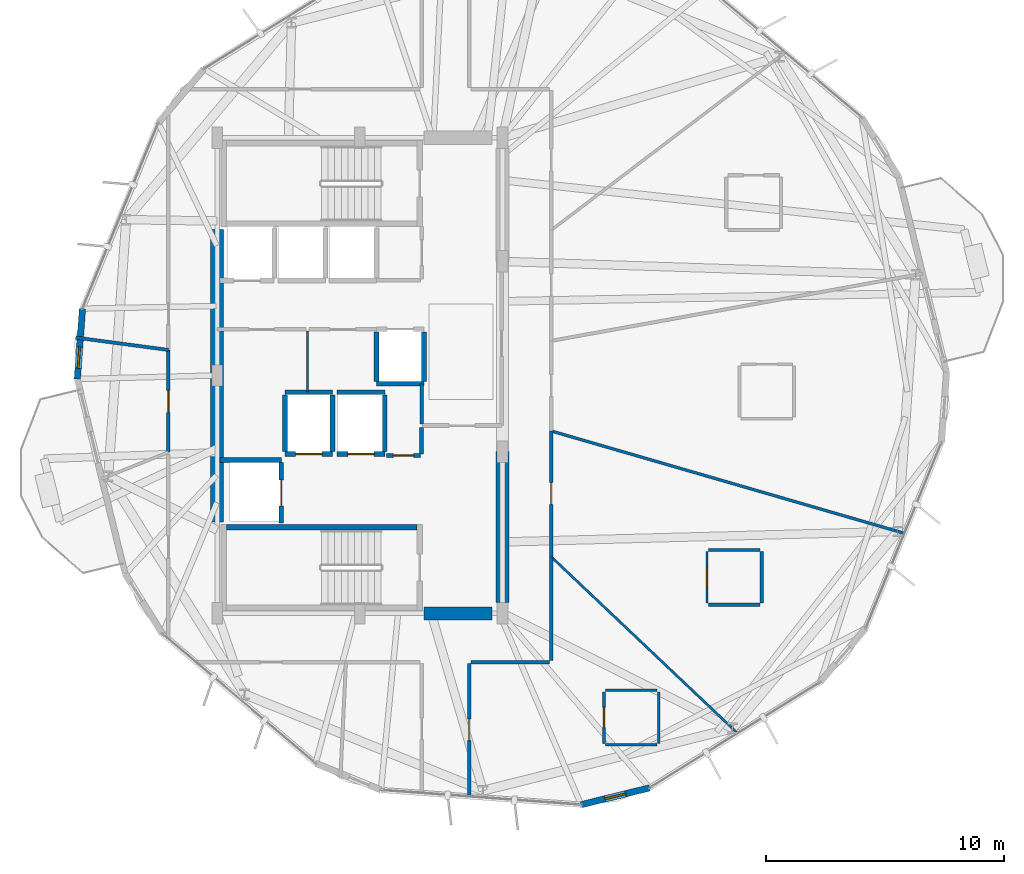
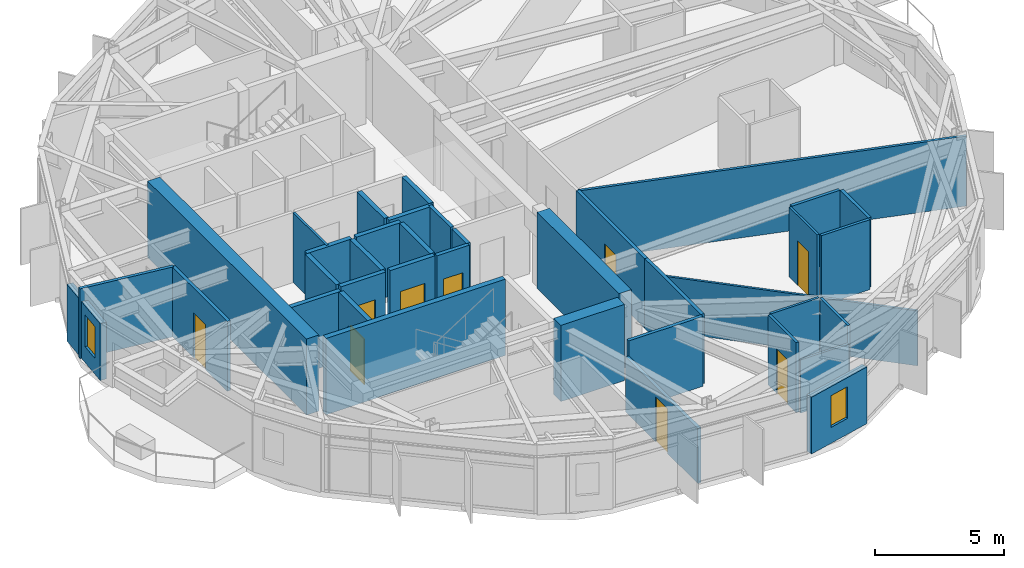
# One storey, part 15 of 21: 38 walls, 9 doors, 2 windows, 11 openings.
"""IFC4 building model written with IfcOpenShell, lengths in metres."""

from ifc_helpers import new_model, si_unit, direction, frame, frame_2d, origin, place, context, subcontext, project, spatial, rectangle, extrude, material, layer, layer_set, type_object, element, fill, save


model = new_model("IFC4")

# Units and contexts
model_context = context("Model", 3, precision=1e-05, world=origin(), true_north=direction((0.0, 1.0)))
body_context = subcontext(model_context, "Body", "Model", "MODEL_VIEW")
ifc_project = project(units=[si_unit("LENGTHUNIT", "METRE"), si_unit("AREAUNIT", "SQUARE_METRE"), si_unit("VOLUMEUNIT", "CUBIC_METRE"), si_unit("PLANEANGLEUNIT", "RADIAN"), si_unit("MASSUNIT", "GRAM", prefix="KILO")], contexts=[model_context])

# Site, building, storey
site_placement = place(None, origin())
site = spatial("IfcSite", under=ifc_project, at=site_placement, CompositionType="ELEMENT")
building_placement = place(site_placement, origin())
building = spatial("IfcBuilding", under=site, at=building_placement, Name="Soratama Intermodal Tower", CompositionType="ELEMENT")
storey_placement = place(building_placement, frame((0.0, 0.0, 153.39990234375)))
storey = spatial("IfcBuildingStorey", under=building, at=storey_placement, Name="L37", CompositionType="ELEMENT", Elevation=153.39990234375)

# Wall, opening, window
ifc_material_1 = material(Name="Concrete f'c 42 MPa", Category="concrete")
ifc_layer_1 = layer(ifc_material_1, 0.27001953125)
ifc_layer_set_1 = layer_set([ifc_layer_1], Name="Concrete f'c 42 MPa")
wall_type_1 = type_object("IfcWallType", Name="EW-CRN-270", PredefinedType="SOLIDWALL", material=ifc_layer_set_1)
wall_1_placement = place(storey_placement, frame((26.935546875, 27.813720703125, 0.0), z_axis=(0.0, 0.0, 1.0), x_axis=(-0.073247177567, -0.997313817702, 0.0)))
wall_1 = element("IfcWall", 1, at=wall_1_placement, inside=storey, type_object=wall_type_1, Name="L37 Corner Closure Wall 04", PredefinedType="SOLIDWALL", context=body_context, shape_type="SweptSolid", body=[
    extrude(rectangle(XDim=2.966552734375, YDim=0.27001953125, at=frame_2d((1.4833984375, 0.0))), origin(), (0.0, 0.0, 1.0), 2.67919921875),
])
opening_1_placement = place(wall_1_placement, frame((1.61669921875, 0.0, 0.75)))
opening_1 = element("IfcOpeningElement", 2, at=opening_1_placement, cuts=wall_1, Name="Opening WN-6", PredefinedType="OPENING", context=body_context, shape_type="SweptSolid", body=[
    extrude(rectangle(XDim=0.89990234375, YDim=1.5, at=frame_2d((0.449951171875, 0.75))), frame((0.0, 0.14501953125, 0.0), z_axis=(0.0, -1.0, 0.0), x_axis=(1.0, 0.0, 0.0)), (0.0, 0.0, 1.0), 0.2900390625),
])
ifc_material_2 = material(Name="Double-glazed aluminium window", Category="aluminium")
window_type = type_object("IfcWindowType", Name="WN-FAC-900", PartitioningType="SINGLE_PANEL", PredefinedType="WINDOW", material=ifc_material_2)
window_1_placement = place(opening_1_placement, origin())
window_1 = element("IfcWindow", 3, at=window_1_placement, inside=storey, type_object=window_type, Name="L37 Corner Window 04", OverallHeight=1.5, OverallWidth=0.89990234375, PartitioningType="SINGLE_PANEL", PredefinedType="WINDOW", context=body_context, shape_type="SweptSolid", body=[
    extrude(rectangle(XDim=0.89990234375, YDim=1.5, at=frame_2d((0.449951171875, 0.75))), frame((0.0, 0.030029296875, 0.0), z_axis=(0.0, -1.0, 0.0), x_axis=(1.0, 0.0, 0.0)), (0.0, 0.0, 1.0), 0.06005859375),
])
fill(opening_1, window_1)

wall_2_placement = place(storey_placement, frame((47.906005859375, 6.9501953125, 0.0), z_axis=(0.0, 0.0, 1.0), x_axis=(0.971145785541, 0.23848661016, 0.0)))
wall_2 = element("IfcWall", 4, at=wall_2_placement, inside=storey, type_object=wall_type_1, Name="L37 Corner Closure Wall 07", PredefinedType="SOLIDWALL", context=body_context, shape_type="SweptSolid", body=[
    extrude(rectangle(XDim=2.966796875, YDim=0.27001953125, at=frame_2d((1.4833984375, 0.0))), origin(), (0.0, 0.0, 1.0), 2.67919921875),
])
opening_2_placement = place(wall_2_placement, frame((1.033203125, 0.0, 0.75)))
opening_2 = element("IfcOpeningElement", 5, at=opening_2_placement, cuts=wall_2, Name="Opening WN-6", PredefinedType="OPENING", context=body_context, shape_type="SweptSolid", body=[
    extrude(rectangle(XDim=0.89990234375, YDim=1.5, at=frame_2d((0.449951171875, 0.75))), frame((0.0, 0.14501953125, 0.0), z_axis=(0.0, -1.0, 0.0), x_axis=(1.0, 0.0, 0.0)), (0.0, 0.0, 1.0), 0.2900390625),
])
window_2_placement = place(opening_2_placement, origin())
window_2 = element("IfcWindow", 6, at=window_2_placement, inside=storey, type_object=window_type, Name="L37 Corner Window 07", OverallHeight=1.5, OverallWidth=0.89990234375, PartitioningType="SINGLE_PANEL", PredefinedType="WINDOW", context=body_context, shape_type="SweptSolid", body=[
    extrude(rectangle(XDim=0.89990234375, YDim=1.5, at=frame_2d((0.449951171875, 0.75))), frame((0.0, 0.030029296875, 0.0), z_axis=(0.0, -1.0, 0.0), x_axis=(1.0, 0.0, 0.0)), (0.0, 0.0, 1.0), 0.06005859375),
])
fill(opening_2, window_2)

# Wall, opening, door
ifc_material_3 = material(Name="Fire-rated gypsum stud partition", Category="concrete")
ifc_layer_2 = layer(ifc_material_3, 0.14990234375)
ifc_layer_set_2 = layer_set([ifc_layer_2], Name="Fire-rated gypsum stud partition")
wall_type_2 = type_object("IfcWallType", Name="IW-PART-R150", PredefinedType="PARTITIONING", material=ifc_layer_set_2)
wall_3_placement = place(storey_placement, frame((43.199951171875, 12.8798828125, 0.0), z_axis=(0.0, 0.0, 1.0), x_axis=(0.0, -1.0, 0.0)))
wall_3 = element("IfcWall", 7, at=wall_3_placement, inside=storey, type_object=wall_type_2, Name="L37 Partition W-L37-TP013", PredefinedType="PARTITIONING", context=body_context, shape_type="SweptSolid", body=[
    extrude(rectangle(XDim=5.583984375, YDim=0.14990234375, at=frame_2d((2.7919921875, 0.0))), origin(), (0.0, 0.0, 1.0), 2.59521484375),
])
opening_3_placement = place(wall_3_placement, frame((2.31689453125, 0.0, 0.0)))
opening_3 = element("IfcOpeningElement", 8, at=opening_3_placement, cuts=wall_3, Name="Opening ID-6", PredefinedType="OPENING", context=body_context, shape_type="SweptSolid", body=[
    extrude(rectangle(XDim=0.919921875, YDim=2.1201171875, at=frame_2d((0.4599609375, 1.06005859375))), frame((0.0, 0.0849609375, 0.0), z_axis=(0.0, -1.0, 0.0), x_axis=(1.0, 0.0, 0.0)), (0.0, 0.0, 1.0), 0.169921875),
])
ifc_material_4 = material(Name="Solid hardwood acoustic door", Category="wood")
door_type_1 = type_object("IfcDoorType", Name="DR-ROOM-920", OperationType="NOTDEFINED", PredefinedType="DOOR", material=ifc_material_4)
door_1_placement = place(opening_3_placement, origin())
door_1 = element("IfcDoor", 9, at=door_1_placement, inside=storey, type_object=door_type_1, Name="L37 Door D-L37-TP007", OperationType="SINGLE_SWING_RIGHT", OverallHeight=2.1201171875, OverallWidth=0.919921875, PredefinedType="DOOR", context=body_context, shape_type="SweptSolid", body=[
    extrude(rectangle(XDim=0.919921875, YDim=2.1201171875, at=frame_2d((0.4599609375, 1.06005859375))), frame((0.0, 0.02490234375, 0.0), z_axis=(0.0, -1.0, 0.0), x_axis=(1.0, 0.0, 0.0)), (0.0, 0.0, 1.0), 0.050048828125),
])
fill(opening_3, door_1)

wall_4_placement = place(storey_placement, frame((46.64990234375, 22.66796875, 0.0), z_axis=(0.0, 0.0, 1.0), x_axis=(0.0, -1.0, 0.0)))
wall_4 = element("IfcWall", 10, at=wall_4_placement, inside=storey, type_object=wall_type_2, Name="L37 Partition W-L37-TP015", PredefinedType="PARTITIONING", context=body_context, shape_type="SweptSolid", body=[
    extrude(rectangle(XDim=5.291015625, YDim=0.14990234375, at=frame_2d((2.6455078125, 0.0))), origin(), (0.0, 0.0, 1.0), 3.300048828125),
])
opening_4_placement = place(wall_4_placement, frame((2.1708984375, 0.0, 0.0)))
opening_4 = element("IfcOpeningElement", 11, at=opening_4_placement, cuts=wall_4, Name="Opening ID-6", PredefinedType="OPENING", context=body_context, shape_type="SweptSolid", body=[
    extrude(rectangle(XDim=0.919921875, YDim=2.1201171875, at=frame_2d((0.4599609375, 1.06005859375))), frame((0.0, 0.0849609375, 0.0), z_axis=(0.0, -1.0, 0.0), x_axis=(1.0, 0.0, 0.0)), (0.0, 0.0, 1.0), 0.169921875),
])
door_2_placement = place(opening_4_placement, origin())
door_2 = element("IfcDoor", 12, at=door_2_placement, inside=storey, type_object=door_type_1, Name="L37 Door D-L37-TP009", OperationType="SINGLE_SWING_RIGHT", OverallHeight=2.1201171875, OverallWidth=0.919921875, PredefinedType="DOOR", context=body_context, shape_type="SweptSolid", body=[
    extrude(rectangle(XDim=0.919921875, YDim=2.1201171875, at=frame_2d((0.4599609375, 1.06005859375))), frame((0.0, 0.02490234375, 0.0), z_axis=(0.0, -1.0, 0.0), x_axis=(1.0, 0.0, 0.0)), (0.0, 0.0, 1.0), 0.050048828125),
])
fill(opening_4, door_2)

# Wall
wall_5_placement = place(storey_placement, frame((46.64990234375, 17.376953125, 0.0), z_axis=(0.0, 0.0, 1.0), x_axis=(0.0, -1.0, 0.0)))
element("IfcWall", 13, at=wall_5_placement, inside=storey, type_object=wall_type_2, Name="L37 Partition W-L37-TP018", PredefinedType="PARTITIONING", context=body_context, shape_type="SweptSolid", body=[
    extrude(rectangle(XDim=4.35693359375, YDim=0.14990234375, at=frame_2d((2.178466796875, 0.0))), origin(), (0.0, 0.0, 1.0), 3.300048828125),
])

# Wall, opening, door
wall_6_placement = place(storey_placement, frame((30.550048828125, 21.778076171875, 0.0), z_axis=(0.0, 0.0, 1.0), x_axis=(0.0, 1.0, 0.0)))
wall_6 = element("IfcWall", 14, at=wall_6_placement, inside=storey, type_object=wall_type_2, Name="L37 Partition W-L37-TP019", PredefinedType="PARTITIONING", context=body_context, shape_type="SweptSolid", body=[
    extrude(rectangle(XDim=4.298828125, YDim=0.14990234375, at=frame_2d((2.1494140625, 0.0))), origin(), (0.0, 0.0, 1.0), 3.300048828125),
])
opening_5_placement = place(wall_6_placement, frame((1.675048828125, 0.0, 0.0)))
opening_5 = element("IfcOpeningElement", 15, at=opening_5_placement, cuts=wall_6, Name="Opening ID-6", PredefinedType="OPENING", context=body_context, shape_type="SweptSolid", body=[
    extrude(rectangle(XDim=0.919921875, YDim=2.1201171875, at=frame_2d((0.4599609375, 1.06005859375))), frame((0.0, 0.0849609375, 0.0), z_axis=(0.0, -1.0, 0.0), x_axis=(1.0, 0.0, 0.0)), (0.0, 0.0, 1.0), 0.169921875),
])
door_3_placement = place(opening_5_placement, origin())
door_3 = element("IfcDoor", 16, at=door_3_placement, inside=storey, type_object=door_type_1, Name="L37 Door D-L37-TP011", OperationType="SINGLE_SWING_RIGHT", OverallHeight=2.1201171875, OverallWidth=0.919921875, PredefinedType="DOOR", context=body_context, shape_type="SweptSolid", body=[
    extrude(rectangle(XDim=0.919921875, YDim=2.1201171875, at=frame_2d((0.4599609375, 1.06005859375))), frame((0.0, 0.02490234375, 0.0), z_axis=(0.0, -1.0, 0.0), x_axis=(1.0, 0.0, 0.0)), (0.0, 0.0, 1.0), 0.050048828125),
])
fill(opening_5, door_3)

# Walls
wall_7_placement = place(storey_placement, frame((46.580078125, 12.949951171875, 0.0), z_axis=(0.0, 0.0, 1.0), x_axis=(-1.0, 0.0, 0.0)))
element("IfcWall", 17, at=wall_7_placement, inside=storey, type_object=wall_type_2, Name="L37 Partition W-L37-TP025", PredefinedType="PARTITIONING", context=body_context, shape_type="SweptSolid", body=[
    extrude(rectangle(XDim=3.31005859375, YDim=0.14990234375, at=frame_2d((1.655029296875, 0.0))), origin(), (0.0, 0.0, 1.0), 3.300048828125),
])
wall_8_placement = place(storey_placement, frame((41.199951171875, 22.9599609375, 0.0), z_axis=(0.0, 0.0, 1.0), x_axis=(0.0, 1.0, 0.0)))
element("IfcWall", 18, at=wall_8_placement, inside=storey, type_object=wall_type_2, Name="L37 Partition W-L37-TP048", PredefinedType="PARTITIONING", context=body_context, shape_type="SweptSolid", body=[
    extrude(rectangle(XDim=1.68994140625, YDim=0.14990234375, at=frame_2d((0.844970703125, 0.0))), origin(), (0.0, 0.0, 1.0), 3.300048828125),
])

# Wall, opening, door
ifc_material_5 = material(Name="Fire-rated gypsum stud partition", Category="concrete")
ifc_layer_3 = layer(ifc_material_5, 0.169921875)
ifc_layer_set_3 = layer_set([ifc_layer_3], Name="Fire-rated gypsum stud partition")
wall_type_3 = type_object("IfcWallType", Name="IW-PART-R170", PredefinedType="PARTITIONING", material=ifc_layer_set_3)
wall_9_placement = place(storey_placement, frame((39.719970703125, 21.639892578125, 0.0), z_axis=(0.0, 0.0, 1.0), x_axis=(1.0, 0.0, 0.0)))
wall_9 = element("IfcWall", 19, at=wall_9_placement, inside=storey, type_object=wall_type_3, Name="L37 Partition W-L37-TP049", PredefinedType="PARTITIONING", context=body_context, shape_type="SweptSolid", body=[
    extrude(rectangle(XDim=1.43994140625, YDim=0.169921875, at=frame_2d((0.719970703125, 0.0))), origin(), (0.0, 0.0, 1.0), 3.300048828125),
])
opening_6_placement = place(wall_9_placement, frame((0.294921875, 0.0, 0.0)))
opening_6 = element("IfcOpeningElement", 20, at=opening_6_placement, cuts=wall_9, Name="Opening ID-4", PredefinedType="OPENING", context=body_context, shape_type="SweptSolid", body=[
    extrude(rectangle(XDim=0.85009765625, YDim=2.10009765625, at=frame_2d((0.425048828125, 1.050048828125))), frame((0.0, 0.094970703125, 0.0), z_axis=(0.0, -1.0, 0.0), x_axis=(1.0, 0.0, 0.0)), (0.0, 0.0, 1.0), 0.18994140625),
])
ifc_material_6 = material(Name="Solid hardwood acoustic door", Category="wood")
door_type_2 = type_object("IfcDoorType", Name="DR-BATH-850", OperationType="NOTDEFINED", PredefinedType="DOOR", material=ifc_material_6)
door_4_placement = place(opening_6_placement, origin())
door_4 = element("IfcDoor", 21, at=door_4_placement, inside=storey, type_object=door_type_2, Name="L37 Door D-L37-TP021", OperationType="SINGLE_SWING_RIGHT", OverallHeight=2.10009765625, OverallWidth=0.85009765625, PredefinedType="DOOR", context=body_context, shape_type="SweptSolid", body=[
    extrude(rectangle(XDim=0.85009765625, YDim=2.10009765625, at=frame_2d((0.425048828125, 1.050048828125))), frame((0.0, 0.02490234375, 0.0), z_axis=(0.0, -1.0, 0.0), x_axis=(1.0, 0.0, 0.0)), (0.0, 0.0, 1.0), 0.050048828125),
])
fill(opening_6, door_4)

# Walls
wall_10_placement = place(storey_placement, frame((41.199951171875, 21.699951171875, 0.0), z_axis=(0.0, 0.0, 1.0), x_axis=(0.0, 1.0, 0.0)))
element("IfcWall", 22, at=wall_10_placement, inside=storey, type_object=wall_type_3, Name="L37 Partition W-L37-TP050", PredefinedType="PARTITIONING", context=body_context, shape_type="SweptSolid", body=[
    extrude(rectangle(XDim=1.1201171875, YDim=0.169921875, at=frame_2d((0.56005859375, 0.0))), origin(), (0.0, 0.0, 1.0), 3.300048828125),
])
ifc_material_7 = material(Name="Fire-rated gypsum stud partition", Category="concrete")
ifc_layer_4 = layer(ifc_material_7, 0.10009765625)
ifc_layer_set_4 = layer_set([ifc_layer_4], Name="Fire-rated gypsum stud partition")
wall_type_4 = type_object("IfcWallType", Name="IW-PART-S100", PredefinedType="PARTITIONING", material=ifc_layer_set_4)
wall_11_placement = place(storey_placement, frame((46.64990234375, 17.376953125, 0.0), z_axis=(0.0, 0.0, 1.0), x_axis=(0.726165374711, -0.687520071395, 0.0)))
element("IfcWall", 23, at=wall_11_placement, inside=storey, type_object=wall_type_4, Name="L37 Partition W-L37-TP004", PredefinedType="PARTITIONING", context=body_context, shape_type="SweptSolid", body=[
    extrude(rectangle(XDim=10.796630859375, YDim=0.10009765625, at=frame_2d((5.3984375, 0.0))), origin(), (0.0, 0.0, 1.0), 2.59521484375),
])
wall_12_placement = place(storey_placement, frame((36.39990234375, 26.8798828125, 0.0), z_axis=(0.0, 0.0, 1.0), x_axis=(0.0, -1.0, 0.0)))
element("IfcWall", 24, at=wall_12_placement, inside=storey, type_object=wall_type_4, Name="L37 Partition W-L37-TP029", PredefinedType="PARTITIONING", context=body_context, shape_type="SweptSolid", body=[
    extrude(rectangle(XDim=2.579833984375, YDim=0.10009765625, at=frame_2d((1.2900390625, 0.0))), origin(), (0.0, 0.0, 1.0), 3.300048828125),
])

# Wall, opening, door
wall_13_placement = place(storey_placement, frame((53.200927734375, 17.590087890625, 0.0), z_axis=(0.0, 0.0, 1.0), x_axis=(0.0, -1.0, 0.0)))
wall_13 = element("IfcWall", 25, at=wall_13_placement, inside=storey, type_object=wall_type_4, Name="L37 Partition W-L37-TP039", PredefinedType="PARTITIONING", context=body_context, shape_type="SweptSolid", body=[
    extrude(rectangle(XDim=2.16015625, YDim=0.10009765625, at=frame_2d((1.080078125, 0.0))), origin(), (0.0, 0.0, 1.0), 3.300048828125),
])
opening_7_placement = place(wall_13_placement, frame((0.655029296875, 0.0, 0.0)))
opening_7 = element("IfcOpeningElement", 26, at=opening_7_placement, cuts=wall_13, Name="Opening ID-4", PredefinedType="OPENING", context=body_context, shape_type="SweptSolid", body=[
    extrude(rectangle(XDim=0.85009765625, YDim=2.10009765625, at=frame_2d((0.425048828125, 1.050048828125))), frame((0.0, 0.06005859375, 0.0), z_axis=(0.0, -1.0, 0.0), x_axis=(1.0, 0.0, 0.0)), (0.0, 0.0, 1.0), 0.1201171875),
])
door_5_placement = place(opening_7_placement, origin())
door_5 = element("IfcDoor", 27, at=door_5_placement, inside=storey, type_object=door_type_2, Name="L37 Door D-L37-TP020", OperationType="SINGLE_SWING_LEFT", OverallHeight=2.10009765625, OverallWidth=0.85009765625, PredefinedType="DOOR", context=body_context, shape_type="SweptSolid", body=[
    extrude(rectangle(XDim=0.85009765625, YDim=2.10009765625, at=frame_2d((0.425048828125, 1.050048828125))), frame((0.0, 0.02490234375, 0.0), z_axis=(0.0, -1.0, 0.0), x_axis=(1.0, 0.0, 0.0)), (0.0, 0.0, 1.0), 0.050048828125),
])
fill(opening_7, door_5)

# Walls
wall_14_placement = place(storey_placement, frame((48.94189453125, 9.465087890625, 0.0), z_axis=(0.0, 0.0, 1.0), x_axis=(1.0, 0.0, 0.0)))
element("IfcWall", 28, at=wall_14_placement, inside=storey, type_object=wall_type_4, Name="L37 Partition W-L37-TP044", PredefinedType="PARTITIONING", context=body_context, shape_type="SweptSolid", body=[
    extrude(rectangle(XDim=2.16015625, YDim=0.10009765625, at=frame_2d((1.080078125, 0.0))), origin(), (0.0, 0.0, 1.0), 2.510986328125),
])
ifc_material_8 = material(Name="Fire-rated gypsum stud partition", Category="concrete")
ifc_layer_5 = layer(ifc_material_8, 0.110107421875)
ifc_layer_set_5 = layer_set([ifc_layer_5], Name="Fire-rated gypsum stud partition")
wall_type_5 = type_object("IfcWallType", Name="IW-PART-S110", PredefinedType="PARTITIONING", material=ifc_layer_set_5)
for number, where, z_axis, x_axis, name in (
    (29, (51.172119140625, 9.534912109375, 0.0), (0.0, 0.0, 1.0), (0.0, 1.0, 0.0), "L37 Partition W-L37-TP038"),
    (30, (51.10205078125, 11.764892578125, 0.0), (0.0, 0.0, 1.0), (-1.0, 0.0, 0.0), "L37 Partition W-L37-TP043"),
):
    element("IfcWall", number, at=place(storey_placement, frame(where, z_axis=z_axis, x_axis=x_axis)), inside=storey, type_object=wall_type_5, Name=name, PredefinedType="PARTITIONING", context=body_context, shape_type="SweptSolid", body=[
        extrude(rectangle(XDim=2.16015625, YDim=0.110107421875, at=frame_2d((1.080078125, 0.0))), origin(), (0.0, 0.0, 1.0), 3.300048828125),
    ])
ifc_material_9 = material(Name="Fire-rated gypsum stud partition", Category="concrete")
ifc_layer_6 = layer(ifc_material_9, 0.1201171875)
ifc_layer_set_6 = layer_set([ifc_layer_6], Name="Fire-rated gypsum stud partition")
wall_type_6 = type_object("IfcWallType", Name="IW-PART-S120", PredefinedType="PARTITIONING", material=ifc_layer_set_6)
wall_15_placement = place(storey_placement, frame((46.64990234375, 22.66796875, 0.0), z_axis=(0.0, 0.0, 1.0), x_axis=(0.960493218243, -0.27830339148, 0.0)))
element("IfcWall", 31, at=wall_15_placement, inside=storey, type_object=wall_type_6, Name="L37 Partition W-L37-TP002", PredefinedType="PARTITIONING", context=body_context, shape_type="SweptSolid", body=[
    extrude(rectangle(XDim=15.465087890625, YDim=0.1201171875, at=frame_2d((7.732421875, 0.0))), origin(), (0.0, 0.0, 1.0), 3.300048828125),
])

# Wall, opening, door
wall_16_placement = place(storey_placement, frame((48.8720703125, 11.695068359375, 0.0), z_axis=(0.0, 0.0, 1.0), x_axis=(0.0, -1.0, 0.0)))
wall_16 = element("IfcWall", 32, at=wall_16_placement, inside=storey, type_object=wall_type_6, Name="L37 Partition W-L37-TP037", PredefinedType="PARTITIONING", context=body_context, shape_type="SweptSolid", body=[
    extrude(rectangle(XDim=2.16015625, YDim=0.1201171875, at=frame_2d((1.080078125, 0.0))), origin(), (0.0, 0.0, 1.0), 3.300048828125),
])
opening_8_placement = place(wall_16_placement, frame((0.655029296875, 0.0, 0.0)))
opening_8 = element("IfcOpeningElement", 33, at=opening_8_placement, cuts=wall_16, Name="Opening ID-4", PredefinedType="OPENING", context=body_context, shape_type="SweptSolid", body=[
    extrude(rectangle(XDim=0.85009765625, YDim=2.10009765625, at=frame_2d((0.425048828125, 1.050048828125))), frame((0.0, 0.070068359375, 0.0), z_axis=(0.0, -1.0, 0.0), x_axis=(1.0, 0.0, 0.0)), (0.0, 0.0, 1.0), 0.14013671875),
])
door_6_placement = place(opening_8_placement, origin())
door_6 = element("IfcDoor", 34, at=door_6_placement, inside=storey, type_object=door_type_2, Name="L37 Door D-L37-TP019", OperationType="SINGLE_SWING_RIGHT", OverallHeight=2.10009765625, OverallWidth=0.85009765625, PredefinedType="DOOR", context=body_context, shape_type="SweptSolid", body=[
    extrude(rectangle(XDim=0.85009765625, YDim=2.10009765625, at=frame_2d((0.425048828125, 1.050048828125))), frame((0.0, 0.02490234375, 0.0), z_axis=(0.0, -1.0, 0.0), x_axis=(1.0, 0.0, 0.0)), (0.0, 0.0, 1.0), 0.050048828125),
])
fill(opening_8, door_6)

# Walls
ifc_material_10 = material(Name="Fire-rated gypsum stud partition", Category="concrete")
ifc_layer_7 = layer(ifc_material_10, 0.1298828125)
ifc_layer_set_7 = layer_set([ifc_layer_7], Name="Fire-rated gypsum stud partition")
wall_type_7 = type_object("IfcWallType", Name="IW-PART-S130", PredefinedType="PARTITIONING", material=ifc_layer_set_7)
wall_17_placement = place(storey_placement, frame((53.27099609375, 15.360107421875, 0.0), z_axis=(0.0, 0.0, 1.0), x_axis=(1.0, 0.0, 0.0)))
element("IfcWall", 35, at=wall_17_placement, inside=storey, type_object=wall_type_7, Name="L37 Partition W-L37-TP046", PredefinedType="PARTITIONING", context=body_context, shape_type="SweptSolid", body=[
    extrude(rectangle(XDim=2.159912109375, YDim=0.1298828125, at=frame_2d((1.080078125, 0.0))), origin(), (0.0, 0.0, 1.0), 3.300048828125),
])
ifc_material_11 = material(Name="Fire-rated gypsum stud partition", Category="concrete")
ifc_layer_8 = layer(ifc_material_11, 0.139892578125)
ifc_layer_set_8 = layer_set([ifc_layer_8], Name="Fire-rated gypsum stud partition")
wall_type_8 = type_object("IfcWallType", Name="IW-PART-S140", PredefinedType="PARTITIONING", material=ifc_layer_set_8)
wall_18_placement = place(storey_placement, frame((30.550048828125, 26.076904296875, 0.0), z_axis=(0.0, 0.0, 1.0), x_axis=(-0.991227900683, 0.132163720091, 0.0)))
element("IfcWall", 36, at=wall_18_placement, inside=storey, type_object=wall_type_8, Name="L37 Partition W-L37-TP020", PredefinedType="PARTITIONING", context=body_context, shape_type="SweptSolid", body=[
    extrude(rectangle(XDim=3.9345703125, YDim=0.139892578125, at=frame_2d((1.96728515625, 0.0))), origin(), (0.0, 0.0, 1.0), 3.300048828125),
])
wall_19_placement = place(storey_placement, frame((55.5009765625, 15.429931640625, 0.0), z_axis=(0.0, 0.0, 1.0), x_axis=(0.0, 1.0, 0.0)))
element("IfcWall", 37, at=wall_19_placement, inside=storey, type_object=wall_type_8, Name="L37 Partition W-L37-TP040", PredefinedType="PARTITIONING", context=body_context, shape_type="SweptSolid", body=[
    extrude(rectangle(XDim=2.16015625, YDim=0.139892578125, at=frame_2d((1.080078125, 0.0))), origin(), (0.0, 0.0, 1.0), 3.300048828125),
])
wall_20_placement = place(storey_placement, frame((55.430908203125, 17.659912109375, 0.0), z_axis=(0.0, 0.0, 1.0), x_axis=(-1.0, 0.0, 0.0)))
element("IfcWall", 38, at=wall_20_placement, inside=storey, type_object=wall_type_8, Name="L37 Partition W-L37-TP045", PredefinedType="PARTITIONING", context=body_context, shape_type="SweptSolid", body=[
    extrude(rectangle(XDim=2.159912109375, YDim=0.139892578125, at=frame_2d((1.080078125, 0.0))), origin(), (0.0, 0.0, 1.0), 3.300048828125),
])

# Wall, opening, door
ifc_material_12 = material(Name="Concrete f'c 42 MPa", Category="concrete")
ifc_layer_9 = layer(ifc_material_12, 0.199951171875)
ifc_layer_set_9 = layer_set([ifc_layer_9], Name="Concrete f'c 42 MPa")
wall_type_9 = type_object("IfcWallType", Name="IW-SHAFT-200", PredefinedType="SOLIDWALL", material=ifc_layer_set_9)
wall_21_placement = place(storey_placement, frame((35.449951171875, 21.699951171875, 0.0), z_axis=(0.0, 0.0, 1.0), x_axis=(1.0, 0.0, 0.0)))
wall_21 = element("IfcWall", 39, at=wall_21_placement, inside=storey, type_object=wall_type_9, Name="L37 FFL-1 Hoistway Wall S", PredefinedType="SOLIDWALL", context=body_context, shape_type="SweptSolid", body=[
    extrude(rectangle(XDim=2.0, YDim=0.199951171875, at=frame_2d((1.0, 0.0))), origin(), (0.0, 0.0, 1.0), 3.300048828125),
])
opening_9_placement = place(wall_21_placement, frame((0.449951171875, 0.0, 0.0)))
opening_9 = element("IfcOpeningElement", 40, at=opening_9_placement, cuts=wall_21, Name="Opening LD-1", PredefinedType="OPENING", context=body_context, shape_type="SweptSolid", body=[
    extrude(rectangle(XDim=1.10009765625, YDim=2.14990234375, at=frame_2d((0.550048828125, 1.074951171875))), frame((0.0, 0.10986328125, 0.0), z_axis=(0.0, -1.0, 0.0), x_axis=(1.0, 0.0, 0.0)), (0.0, 0.0, 1.0), 0.219970703125),
])
ifc_material_13 = material(Name="Steel fire door", Category="steel")
door_type_3 = type_object("IfcDoorType", Name="DR-LIFT-SLIDE", OperationType="NOTDEFINED", PredefinedType="DOOR", material=ifc_material_13)
door_7_placement = place(opening_9_placement, origin())
door_7 = element("IfcDoor", 41, at=door_7_placement, inside=storey, type_object=door_type_3, Name="L37 FFL-1 Sliding Landing Door", OperationType="SLIDING_TO_LEFT", OverallHeight=2.14990234375, OverallWidth=1.10009765625, PredefinedType="DOOR", context=body_context, shape_type="SweptSolid", body=[
    extrude(rectangle(XDim=1.10009765625, YDim=2.14990234375, at=frame_2d((0.550048828125, 1.074951171875))), frame((0.0, 0.02490234375, 0.0), z_axis=(0.0, -1.0, 0.0), x_axis=(1.0, 0.0, 0.0)), (0.0, 0.0, 1.0), 0.050048828125),
])
fill(opening_9, door_7)

# Walls
wall_22_placement = place(storey_placement, frame((35.449951171875, 24.300048828125, 0.0), z_axis=(0.0, 0.0, 1.0), x_axis=(1.0, 0.0, 0.0)))
element("IfcWall", 42, at=wall_22_placement, inside=storey, type_object=wall_type_9, Name="L37 FFL-1 Hoistway Wall N", PredefinedType="SOLIDWALL", context=body_context, shape_type="SweptSolid", body=[
    extrude(rectangle(XDim=2.0, YDim=0.199951171875, at=frame_2d((1.0, 0.0))), origin(), (0.0, 0.0, 1.0), 3.300048828125),
])
for number, where, z_axis, x_axis, name in (
    (43, (35.449951171875, 21.81005859375, 0.0), (0.0, 0.0, 1.0), (0.0, 1.0, 0.0), "L37 FFL-1 Hoistway Wall W"),
    (44, (37.449951171875, 21.81005859375, 0.0), (0.0, 0.0, 1.0), (0.0, 1.0, 0.0), "L37 FFL-1 Hoistway Wall E"),
):
    element("IfcWall", number, at=place(storey_placement, frame(where, z_axis=z_axis, x_axis=x_axis)), inside=storey, type_object=wall_type_9, Name=name, PredefinedType="SOLIDWALL", context=body_context, shape_type="SweptSolid", body=[
        extrude(rectangle(XDim=2.3798828125, YDim=0.199951171875, at=frame_2d((1.18994140625, 0.0))), origin(), (0.0, 0.0, 1.0), 3.300048828125),
    ])

# Wall, opening, door
wall_23_placement = place(storey_placement, frame((37.64990234375, 21.699951171875, 0.0), z_axis=(0.0, 0.0, 1.0), x_axis=(1.0, 0.0, 0.0)))
wall_23 = element("IfcWall", 45, at=wall_23_placement, inside=storey, type_object=wall_type_9, Name="L37 FFL-2 Hoistway Wall S", PredefinedType="SOLIDWALL", context=body_context, shape_type="SweptSolid", body=[
    extrude(rectangle(XDim=2.0, YDim=0.199951171875, at=frame_2d((1.0, 0.0))), origin(), (0.0, 0.0, 1.0), 3.300048828125),
])
opening_10_placement = place(wall_23_placement, frame((0.449951171875, 0.0, 0.0)))
opening_10 = element("IfcOpeningElement", 46, at=opening_10_placement, cuts=wall_23, Name="Opening LD-1", PredefinedType="OPENING", context=body_context, shape_type="SweptSolid", body=[
    extrude(rectangle(XDim=1.10009765625, YDim=2.14990234375, at=frame_2d((0.550048828125, 1.074951171875))), frame((0.0, 0.10986328125, 0.0), z_axis=(0.0, -1.0, 0.0), x_axis=(1.0, 0.0, 0.0)), (0.0, 0.0, 1.0), 0.219970703125),
])
door_8_placement = place(opening_10_placement, origin())
door_8 = element("IfcDoor", 47, at=door_8_placement, inside=storey, type_object=door_type_3, Name="L37 FFL-2 Sliding Landing Door", OperationType="SLIDING_TO_LEFT", OverallHeight=2.14990234375, OverallWidth=1.10009765625, PredefinedType="DOOR", context=body_context, shape_type="SweptSolid", body=[
    extrude(rectangle(XDim=1.10009765625, YDim=2.14990234375, at=frame_2d((0.550048828125, 1.074951171875))), frame((0.0, 0.02490234375, 0.0), z_axis=(0.0, -1.0, 0.0), x_axis=(1.0, 0.0, 0.0)), (0.0, 0.0, 1.0), 0.050048828125),
])
fill(opening_10, door_8)

# Walls
wall_24_placement = place(storey_placement, frame((37.64990234375, 24.300048828125, 0.0), z_axis=(0.0, 0.0, 1.0), x_axis=(1.0, 0.0, 0.0)))
element("IfcWall", 48, at=wall_24_placement, inside=storey, type_object=wall_type_9, Name="L37 FFL-2 Hoistway Wall N", PredefinedType="SOLIDWALL", context=body_context, shape_type="SweptSolid", body=[
    extrude(rectangle(XDim=2.0, YDim=0.199951171875, at=frame_2d((1.0, 0.0))), origin(), (0.0, 0.0, 1.0), 3.300048828125),
])
wall_25_placement = place(storey_placement, frame((39.64990234375, 21.81005859375, 0.0), z_axis=(0.0, 0.0, 1.0), x_axis=(0.0, 1.0, 0.0)))
element("IfcWall", 49, at=wall_25_placement, inside=storey, type_object=wall_type_9, Name="L37 FFL-2 Hoistway Wall E", PredefinedType="SOLIDWALL", context=body_context, shape_type="SweptSolid", body=[
    extrude(rectangle(XDim=2.3798828125, YDim=0.199951171875, at=frame_2d((1.18994140625, 0.0))), origin(), (0.0, 0.0, 1.0), 3.300048828125),
])
wall_26_placement = place(storey_placement, frame((32.719970703125, 21.449951171875, 0.0), z_axis=(0.0, 0.0, 1.0), x_axis=(1.0, 0.0, 0.0)))
element("IfcWall", 50, at=wall_26_placement, inside=storey, type_object=wall_type_9, Name="L37 SVL-1 Hoistway Wall N", PredefinedType="SOLIDWALL", context=body_context, shape_type="SweptSolid", body=[
    extrude(rectangle(XDim=2.580078125, YDim=0.199951171875, at=frame_2d((1.2900390625, 0.0))), origin(), (0.0, 0.0, 1.0), 3.300048828125),
])

# Wall, opening, door
wall_27_placement = place(storey_placement, frame((35.300048828125, 18.7900390625, 0.0), z_axis=(0.0, 0.0, 1.0), x_axis=(0.0, 1.0, 0.0)))
wall_27 = element("IfcWall", 51, at=wall_27_placement, inside=storey, type_object=wall_type_9, Name="L37 SVL-1 Hoistway Wall E", PredefinedType="SOLIDWALL", context=body_context, shape_type="SweptSolid", body=[
    extrude(rectangle(XDim=2.550048828125, YDim=0.199951171875, at=frame_2d((1.27490234375, 0.0))), origin(), (0.0, 0.0, 1.0), 3.300048828125),
])
opening_11_placement = place(wall_27_placement, frame((0.72509765625, 0.0, 0.0)))
opening_11 = element("IfcOpeningElement", 52, at=opening_11_placement, cuts=wall_27, Name="Opening LD-1", PredefinedType="OPENING", context=body_context, shape_type="SweptSolid", body=[
    extrude(rectangle(XDim=1.10009765625, YDim=2.14990234375, at=frame_2d((0.550048828125, 1.074951171875))), frame((0.0, 0.10986328125, 0.0), z_axis=(0.0, -1.0, 0.0), x_axis=(1.0, 0.0, 0.0)), (0.0, 0.0, 1.0), 0.219970703125),
])
door_9_placement = place(opening_11_placement, origin())
door_9 = element("IfcDoor", 53, at=door_9_placement, inside=storey, type_object=door_type_3, Name="L37 SVL-1 Sliding Landing Door", OperationType="SLIDING_TO_LEFT", OverallHeight=2.14990234375, OverallWidth=1.10009765625, PredefinedType="DOOR", context=body_context, shape_type="SweptSolid", body=[
    extrude(rectangle(XDim=1.10009765625, YDim=2.14990234375, at=frame_2d((0.550048828125, 1.074951171875))), frame((0.0, 0.02490234375, 0.0), z_axis=(0.0, -1.0, 0.0), x_axis=(1.0, 0.0, 0.0)), (0.0, 0.0, 1.0), 0.050048828125),
])
fill(opening_11, door_9)

# Walls
wall_28_placement = place(storey_placement, frame((39.300048828125, 24.64990234375, 0.0), z_axis=(0.0, 0.0, 1.0), x_axis=(1.0, 0.0, 0.0)))
element("IfcWall", 54, at=wall_28_placement, inside=storey, type_object=wall_type_9, Name="L37 PL-M1 Hoistway Wall S", PredefinedType="SOLIDWALL", context=body_context, shape_type="SweptSolid", body=[
    extrude(rectangle(XDim=2.0, YDim=0.199951171875, at=frame_2d((1.0, 0.0))), origin(), (0.0, 0.0, 1.0), 3.300048828125),
])
for number, where, z_axis, x_axis, name in (
    (55, (39.300048828125, 24.760009765625, 0.0), (0.0, 0.0, 1.0), (0.0, 1.0, 0.0), "L37 PL-M1 Hoistway Wall W"),
    (56, (41.300048828125, 24.760009765625, 0.0), (0.0, 0.0, 1.0), (0.0, 1.0, 0.0), "L37 PL-M1 Hoistway Wall E"),
):
    element("IfcWall", number, at=place(storey_placement, frame(where, z_axis=z_axis, x_axis=x_axis)), inside=storey, type_object=wall_type_9, Name=name, PredefinedType="SOLIDWALL", context=body_context, shape_type="SweptSolid", body=[
        extrude(rectangle(XDim=2.080078125, YDim=0.199951171875, at=frame_2d((1.0400390625, 0.0))), origin(), (0.0, 0.0, 1.0), 3.300048828125),
    ])
ifc_material_14 = material(Name="Concrete f'c 56 MPa", Category="concrete")
ifc_layer_10 = layer(ifc_material_14, 0.550048828125)
ifc_layer_set_10 = layer_set([ifc_layer_10], Name="Concrete f'c 56 MPa")
wall_type_10 = type_object("IfcWallType", Name="SW-CORE-550", PredefinedType="SHEAR", material=ifc_layer_set_10)
wall_29_placement = place(storey_placement, frame((32.60009765625, 18.85009765625, 0.0), z_axis=(0.0, 0.0, 1.0), x_axis=(0.0, 1.0, 0.0)))
element("IfcWall", 57, at=wall_29_placement, inside=storey, type_object=wall_type_10, Name="L37 Core Shear Wall CW-WMID", PredefinedType="SHEAR", context=body_context, shape_type="SweptSolid", body=[
    extrude(rectangle(XDim=12.2998046875, YDim=0.550048828125, at=frame_2d((6.14990234375, 0.0))), origin(), (0.0, 0.0, 1.0), 3.60009765625),
])
wall_30_placement = place(storey_placement, frame((41.300048828125, 15.0, 0.0), z_axis=(0.0, 0.0, 1.0), x_axis=(1.0, 0.0, 0.0)))
element("IfcWall", 58, at=wall_30_placement, inside=storey, type_object=wall_type_10, Name="L37 Core Shear Wall CW-SE", PredefinedType="SHEAR", context=body_context, shape_type="SweptSolid", body=[
    extrude(rectangle(XDim=2.849853515625, YDim=0.550048828125, at=frame_2d((1.4248046875, 0.0))), origin(), (0.0, 0.0, 1.0), 3.60009765625),
])
wall_31_placement = place(storey_placement, frame((44.60009765625, 15.449951171875, 0.0), z_axis=(0.0, 0.0, 1.0), x_axis=(0.0, 1.0, 0.0)))
element("IfcWall", 59, at=wall_31_placement, inside=storey, type_object=wall_type_10, Name="L37 Core Shear Wall CW-ES", PredefinedType="SHEAR", context=body_context, shape_type="SweptSolid", body=[
    extrude(rectangle(XDim=6.35009765625, YDim=0.550048828125, at=frame_2d((3.175048828125, 0.0))), origin(), (0.0, 0.0, 1.0), 3.60009765625),
])
ifc_material_15 = material(Name="Concrete f'c 56 MPa", Category="concrete")
ifc_layer_11 = layer(ifc_material_15, 0.239990234375)
ifc_layer_set_11 = layer_set([ifc_layer_11], Name="Concrete f'c 56 MPa")
wall_type_11 = type_object("IfcWallType", Name="SW-STAIR-240", PredefinedType="SHEAR", material=ifc_layer_set_11)
wall_32_placement = place(storey_placement, frame((33.0, 18.6201171875, 0.0), z_axis=(0.0, 0.0, 1.0), x_axis=(1.0, 0.0, 0.0)))
element("IfcWall", 60, at=wall_32_placement, inside=storey, type_object=wall_type_11, Name="L37 ST-1 Shaft Shear Wall N", PredefinedType="SHEAR", context=body_context, shape_type="SweptSolid", body=[
    extrude(rectangle(XDim=8.0, YDim=0.239990234375, at=frame_2d((4.0, 0.0))), origin(), (0.0, 0.0, 1.0), 3.60009765625),
])

save(model, "model.ifc")
